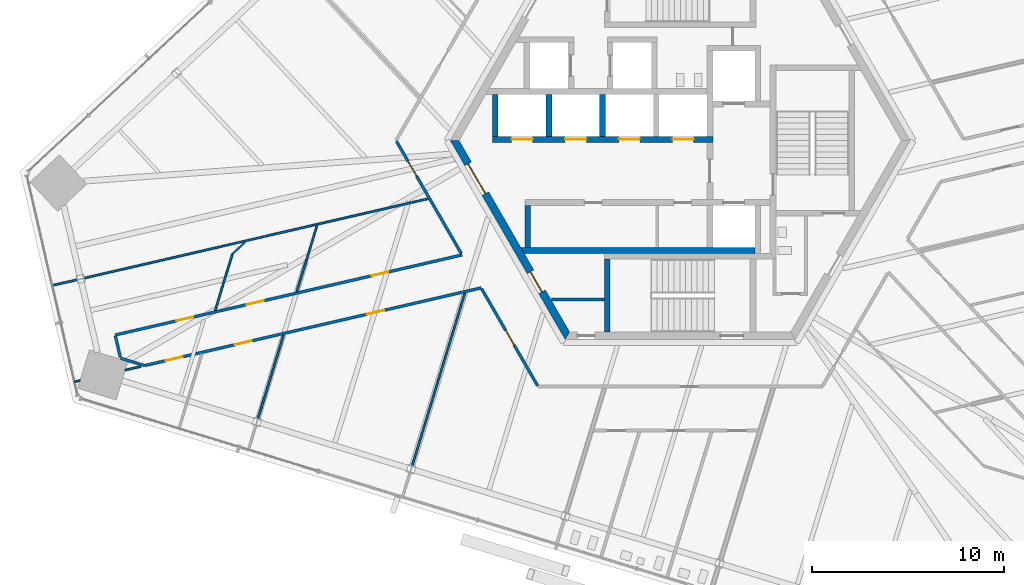
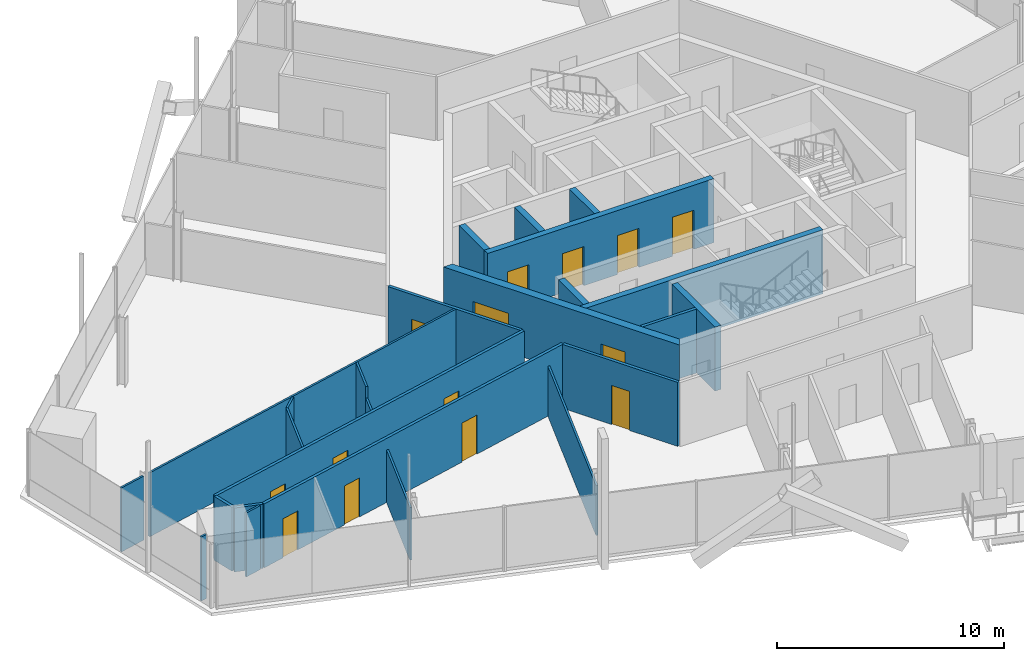
# One storey, part 13 of 24: 25 walls, 14 doors, 14 openings.
"""IFC4 building model written with IfcOpenShell, lengths in metres."""

from ifc_helpers import new_model, si_unit, direction, frame, frame_2d, origin, place, context, subcontext, project, spatial, polyline, rectangle, outline, extrude, source, transform, mapped, material, layer, layer_set, type_object, element, fill, save


model = new_model("IFC4")

# Units and contexts
model_context = context("Model", 3, precision=1e-05, world=origin(), true_north=direction((0.0, 1.0)))
body_context = subcontext(model_context, "Body", "Model", "MODEL_VIEW")
ifc_project = project(units=[si_unit("LENGTHUNIT", "METRE"), si_unit("AREAUNIT", "SQUARE_METRE"), si_unit("VOLUMEUNIT", "CUBIC_METRE"), si_unit("PLANEANGLEUNIT", "RADIAN"), si_unit("MASSUNIT", "GRAM", prefix="KILO")], contexts=[model_context])

# Site, building, storey
site_placement = place(None, origin())
site = spatial("IfcSite", under=ifc_project, at=site_placement, CompositionType="ELEMENT")
building_placement = place(site_placement, origin())
building = spatial("IfcBuilding", under=site, at=building_placement, Name="Triune Harvest Tower", CompositionType="ELEMENT")
storey_placement = place(building_placement, frame((0.0, 0.0, 112.699951171875)))
storey = spatial("IfcBuildingStorey", under=building, at=storey_placement, Name="L28", CompositionType="ELEMENT", Elevation=112.699951171875)

# Walls
ifc_material_1 = material(Name="Gypsum board on steel studs", Category="steel")
ifc_layer_1 = layer(ifc_material_1, 0.10009765625)
ifc_layer_set_1 = layer_set([ifc_layer_1], Name="Gypsum board on steel studs")
wall_type_1 = type_object("IfcWallType", Name="Partition 100 mm", PredefinedType="PARTITIONING", material=ifc_layer_set_1)
wall_1_placement = place(storey_placement, frame((-23.3662109375, -5.91650390625, 0.0), z_axis=(0.0, 0.0, 1.0), x_axis=(0.731438861258, 0.681907026098, 0.0)))
element("IfcWall", 1, at=wall_1_placement, inside=storey, type_object=wall_type_1, Name="Partition L28 046", PredefinedType="PARTITIONING", context=body_context, shape_type="SweptSolid", body=[
    extrude(rectangle(XDim=0.867431640625, YDim=0.10009765625, at=frame_2d((0.43359375, 0.0))), origin(), (0.0, 0.0, 1.0), 3.43994140625),
])
wall_2_placement = place(storey_placement, frame((-22.035888671875, -14.5166015625, 0.0), z_axis=(0.0, 0.0, 1.0), x_axis=(0.292359881687, 0.956308370548, 0.0)))
element("IfcWall", 2, at=wall_2_placement, inside=storey, type_object=wall_type_1, Name="Partition L28 061", PredefinedType="PARTITIONING", context=body_context, shape_type="SweptSolid", body=[
    extrude(rectangle(XDim=4.563720703125, YDim=0.10009765625, at=frame_2d((2.28173828125, 0.0))), origin(), (0.0, 0.0, 1.0), 2.827880859375),
])
wall_3_placement = place(storey_placement, frame((-20.007568359375, -7.882080078125, 0.0), z_axis=(0.0, 0.0, 1.0), x_axis=(0.292277614447, 0.956333517186, 0.0)))
element("IfcWall", 3, at=wall_3_placement, inside=storey, type_object=wall_type_1, Name="Partition L28 062", PredefinedType="PARTITIONING", context=body_context, shape_type="SweptSolid", body=[
    extrude(rectangle(XDim=1.6796875, YDim=0.10009765625, at=frame_2d((0.83984375, 0.0))), origin(), (0.0, 0.0, 1.0), 2.827880859375),
])
wall_4_placement = place(storey_placement, frame((-24.267822265625, -8.86572265625, 0.0), z_axis=(0.0, 0.0, 1.0), x_axis=(0.292377431706, 0.95630300503, 0.0)))
element("IfcWall", 4, at=wall_4_placement, inside=storey, type_object=wall_type_1, Name="Partition L28 064", PredefinedType="PARTITIONING", context=body_context, shape_type="SweptSolid", body=[
    extrude(rectangle(XDim=3.083740234375, YDim=0.10009765625, at=frame_2d((1.5419921875, 0.0))), origin(), (0.0, 0.0, 1.0), 3.43994140625),
])

# Wall, openings, doors
ifc_material_2 = material(Name="Concrete 70 MPa", Category="concrete")
ifc_layer_2 = layer(ifc_material_2, 0.39990234375)
ifc_layer_set_2 = layer_set([ifc_layer_2], Name="Concrete 70 MPa")
wall_type_2 = type_object("IfcWallType", Name="Core wall 400", PredefinedType="SHEAR", material=ifc_layer_set_2)
shared_shape_1 = source(origin(), body_context, "Body", "SweptSolid", [
    extrude(outline(polyline([(-0.115478515625, -0.199951171875), (11.884521484375, -0.199951171875), (11.653564453125, 0.199951171875), (0.115478515625, 0.199951171875), (-0.115478515625, -0.199951171875)])), origin(), (0.0, 0.0, 1.0), 3.43994140625),
])
wall_5_placement = place(storey_placement, frame((-11.76904296875, 0.0, 0.0), z_axis=(0.0, 0.0, 1.0), x_axis=(0.499996592174, -0.866027371285, 0.0)))
wall_5 = element("IfcWall", 5, at=wall_5_placement, inside=storey, type_object=wall_type_2, Name="Hexagon 3 wall", PredefinedType="SHEAR", context=body_context, shape_type="MappedRepresentation", body=[
    mapped(shared_shape_1, transform((0.0, 0.0, 0.0), scale=1.0)),
])
opening_1_placement = place(wall_5_placement, frame((1.404541015625, 0.0, 0.0)))
opening_1 = element("IfcOpeningElement", 6, at=opening_1_placement, cuts=wall_5, Name="Opening CD-LS", PredefinedType="OPENING", context=body_context, shape_type="SweptSolid", body=[
    extrude(rectangle(XDim=1.800048828125, YDim=2.10009765625, at=frame_2d((0.89990234375, 1.050048828125))), frame((0.0, 0.2099609375, 0.0), z_axis=(0.0, -1.0, 0.0), x_axis=(1.0, 0.0, 0.0)), (0.0, 0.0, 1.0), 0.419921875),
])
opening_2_placement = place(wall_5_placement, frame((7.91455078125, 0.0, 0.0)))
opening_2 = element("IfcOpeningElement", 7, at=opening_2_placement, cuts=wall_5, Name="Opening CD-SWP", PredefinedType="OPENING", context=body_context, shape_type="SweptSolid", body=[
    extrude(rectangle(XDim=1.199951171875, YDim=2.10009765625, at=frame_2d((0.60009765625, 1.050048828125))), frame((0.0, 0.2099609375, 0.0), z_axis=(0.0, -1.0, 0.0), x_axis=(1.0, 0.0, 0.0)), (0.0, 0.0, 1.0), 0.419921875),
])
ifc_material_3 = material(Name="Steel S235", Category="steel")
door_type_1 = type_object("IfcDoorType", Name="Lobby door 1800 FD120", OperationType="DOUBLE_DOOR_DOUBLE_SWING", PredefinedType="DOOR", material=ifc_material_3)
door_1_placement = place(opening_1_placement, frame((1.800048828125, 0.0, 0.0), z_axis=(0.0, 0.0, 1.0), x_axis=(-1.0, 0.0, 0.0)))
door_1 = element("IfcDoor", 8, at=door_1_placement, inside=storey, type_object=door_type_1, Name="Door CD-LS", OperationType="DOUBLE_DOOR_DOUBLE_SWING", OverallHeight=2.10009765625, OverallWidth=1.800048828125, PredefinedType="DOOR", context=body_context, shape_type="SweptSolid", body=[
    extrude(rectangle(XDim=1.800048828125, YDim=2.10009765625, at=frame_2d((0.89990234375, 1.050048828125))), frame((0.0, 0.02490234375, 0.0), z_axis=(0.0, -1.0, 0.0), x_axis=(1.0, 0.0, 0.0)), (0.0, 0.0, 1.0), 0.050048828125),
])
fill(opening_1, door_1)
ifc_material_4 = material(Name="Steel S235", Category="steel")
door_type_2 = type_object("IfcDoorType", Name="Service door 1200 FD120", OperationType="SINGLE_SWING_LEFT", PredefinedType="DOOR", material=ifc_material_4)
door_2_placement = place(opening_2_placement, frame((1.199951171875, 0.0, 0.0), z_axis=(0.0, 0.0, 1.0), x_axis=(-1.0, 0.0, 0.0)))
door_2 = element("IfcDoor", 9, at=door_2_placement, inside=storey, type_object=door_type_2, Name="Door CD-SWP", OperationType="SINGLE_SWING_RIGHT", OverallHeight=2.10009765625, OverallWidth=1.199951171875, PredefinedType="DOOR", context=body_context, shape_type="SweptSolid", body=[
    extrude(rectangle(XDim=1.199951171875, YDim=2.10009765625, at=frame_2d((0.60009765625, 1.050048828125))), frame((0.0, 0.02490234375, 0.0), z_axis=(0.0, -1.0, 0.0), x_axis=(1.0, 0.0, 0.0)), (0.0, 0.0, 1.0), 0.050048828125),
])
fill(opening_2, door_2)

ifc_material_5 = material(Name="Concrete 70 MPa", Category="concrete")
ifc_layer_3 = layer(ifc_material_5, 0.300048828125)
ifc_layer_set_3 = layer_set([ifc_layer_3], Name="Concrete 70 MPa")
wall_type_3 = type_object("IfcWallType", Name="Core wall 300", PredefinedType="SHEAR", material=ifc_layer_set_3)
shared_shape_2 = source(origin(), body_context, "Body", "SweptSolid", [
    extrude(rectangle(XDim=11.5, YDim=0.300048828125, at=frame_2d((5.75, 0.0))), origin(), (0.0, 0.0, 1.0), 3.43994140625),
])
wall_6_placement = place(storey_placement, frame((-9.800048828125, 0.06005859375, 0.0), z_axis=(0.0, 0.0, 1.0), x_axis=(1.0, 0.0, 0.0)))
wall_6 = element("IfcWall", 10, at=wall_6_placement, inside=storey, type_object=wall_type_3, Name="North front wall", PredefinedType="SHEAR", context=body_context, shape_type="MappedRepresentation", body=[
    mapped(shared_shape_2, transform((0.0, 0.0, 0.0), scale=1.0)),
])
opening_3_placement = place(wall_6_placement, frame((1.0, 0.0, 0.0)))
opening_3 = element("IfcOpeningElement", 11, at=opening_3_placement, cuts=wall_6, Name="Opening LD-LR1-28", PredefinedType="OPENING", context=body_context, shape_type="SweptSolid", body=[
    extrude(rectangle(XDim=1.10009765625, YDim=2.10009765625, at=frame_2d((0.550048828125, 1.050048828125))), frame((0.0, 0.16015625, 0.0), z_axis=(0.0, -1.0, 0.0), x_axis=(1.0, 0.0, 0.0)), (0.0, 0.0, 1.0), 0.320068359375),
])
opening_4_placement = place(wall_6_placement, frame((3.800048828125, 0.0, 0.0)))
opening_4 = element("IfcOpeningElement", 12, at=opening_4_placement, cuts=wall_6, Name="Opening LD-LR2-28", PredefinedType="OPENING", context=body_context, shape_type="SweptSolid", body=[
    extrude(rectangle(XDim=1.10009765625, YDim=2.10009765625, at=frame_2d((0.550048828125, 1.050048828125))), frame((0.0, 0.16015625, 0.0), z_axis=(0.0, -1.0, 0.0), x_axis=(1.0, 0.0, 0.0)), (0.0, 0.0, 1.0), 0.320068359375),
])
opening_5_placement = place(wall_6_placement, frame((6.60009765625, 0.0, 0.0)))
opening_5 = element("IfcOpeningElement", 13, at=opening_5_placement, cuts=wall_6, Name="Opening LD-LR3-28", PredefinedType="OPENING", context=body_context, shape_type="SweptSolid", body=[
    extrude(rectangle(XDim=1.10009765625, YDim=2.10009765625, at=frame_2d((0.550048828125, 1.050048828125))), frame((0.0, 0.16015625, 0.0), z_axis=(0.0, -1.0, 0.0), x_axis=(1.0, 0.0, 0.0)), (0.0, 0.0, 1.0), 0.320068359375),
])
opening_6_placement = place(wall_6_placement, frame((9.39990234375, 0.0, 0.0)))
opening_6 = element("IfcOpeningElement", 14, at=opening_6_placement, cuts=wall_6, Name="Opening LD-LR4-28", PredefinedType="OPENING", context=body_context, shape_type="SweptSolid", body=[
    extrude(rectangle(XDim=1.10009765625, YDim=2.10009765625, at=frame_2d((0.550048828125, 1.050048828125))), frame((0.0, 0.16015625, 0.0), z_axis=(0.0, -1.0, 0.0), x_axis=(1.0, 0.0, 0.0)), (0.0, 0.0, 1.0), 0.320068359375),
])
ifc_material_6 = material(Name="Stainless steel AISI 304", Category="steel")
door_type_3 = type_object("IfcDoorType", Name="Landing door 1100 x 2100", OperationType="DOUBLE_DOOR_SLIDING", PredefinedType="DOOR", material=ifc_material_6)
door_3_placement = place(opening_3_placement, origin())
door_3 = element("IfcDoor", 15, at=door_3_placement, inside=storey, type_object=door_type_3, Name="Door LD-LR1-28", OperationType="DOUBLE_DOOR_SLIDING", OverallHeight=2.10009765625, OverallWidth=1.10009765625, PredefinedType="DOOR", context=body_context, shape_type="SweptSolid", body=[
    extrude(rectangle(XDim=1.10009765625, YDim=2.10009765625, at=frame_2d((0.550048828125, 1.050048828125))), frame((0.0, 0.02490234375, 0.0), z_axis=(0.0, -1.0, 0.0), x_axis=(1.0, 0.0, 0.0)), (0.0, 0.0, 1.0), 0.050048828125),
])
fill(opening_3, door_3)
door_4_placement = place(opening_4_placement, origin())
door_4 = element("IfcDoor", 16, at=door_4_placement, inside=storey, type_object=door_type_3, Name="Door LD-LR2-28", OperationType="DOUBLE_DOOR_SLIDING", OverallHeight=2.10009765625, OverallWidth=1.10009765625, PredefinedType="DOOR", context=body_context, shape_type="SweptSolid", body=[
    extrude(rectangle(XDim=1.10009765625, YDim=2.10009765625, at=frame_2d((0.550048828125, 1.050048828125))), frame((0.0, 0.02490234375, 0.0), z_axis=(0.0, -1.0, 0.0), x_axis=(1.0, 0.0, 0.0)), (0.0, 0.0, 1.0), 0.050048828125),
])
fill(opening_4, door_4)
door_5_placement = place(opening_5_placement, origin())
door_5 = element("IfcDoor", 17, at=door_5_placement, inside=storey, type_object=door_type_3, Name="Door LD-LR3-28", OperationType="DOUBLE_DOOR_SLIDING", OverallHeight=2.10009765625, OverallWidth=1.10009765625, PredefinedType="DOOR", context=body_context, shape_type="SweptSolid", body=[
    extrude(rectangle(XDim=1.10009765625, YDim=2.10009765625, at=frame_2d((0.550048828125, 1.050048828125))), frame((0.0, 0.02490234375, 0.0), z_axis=(0.0, -1.0, 0.0), x_axis=(1.0, 0.0, 0.0)), (0.0, 0.0, 1.0), 0.050048828125),
])
fill(opening_5, door_5)
door_6_placement = place(opening_6_placement, origin())
door_6 = element("IfcDoor", 18, at=door_6_placement, inside=storey, type_object=door_type_3, Name="Door LD-LR4-28", OperationType="DOUBLE_DOOR_SLIDING", OverallHeight=2.10009765625, OverallWidth=1.10009765625, PredefinedType="DOOR", context=body_context, shape_type="SweptSolid", body=[
    extrude(rectangle(XDim=1.10009765625, YDim=2.10009765625, at=frame_2d((0.550048828125, 1.050048828125))), frame((0.0, 0.02490234375, 0.0), z_axis=(0.0, -1.0, 0.0), x_axis=(1.0, 0.0, 0.0)), (0.0, 0.0, 1.0), 0.050048828125),
])
fill(opening_6, door_6)

# Walls
shared_shape_3 = source(origin(), body_context, "Body", "SweptSolid", [
    extrude(outline(polyline([(12.0, -0.14990234375), (-0.039794921875, -0.14990234375), (-0.212890625, 0.14990234375), (12.0, 0.14990234375), (12.0, -0.14990234375)])), origin(), (0.0, 0.0, 1.0), 3.43994140625),
])
wall_7_placement = place(storey_placement, frame((-8.10009765625, -5.739990234375, 0.0), z_axis=(0.0, 0.0, 1.0), x_axis=(1.0, 0.0, 0.0)))
element("IfcWall", 19, at=wall_7_placement, inside=storey, type_object=wall_type_3, Name="South back wall", PredefinedType="SHEAR", context=body_context, shape_type="MappedRepresentation", body=[
    mapped(shared_shape_3, transform((0.0, 0.0, 0.0), scale=1.0)),
])
shared_shape_4 = source(origin(), body_context, "Body", "SweptSolid", [
    extrude(rectangle(XDim=2.2001953125, YDim=0.300048828125, at=frame_2d((1.10009765625, 0.0))), origin(), (0.0, 0.0, 1.0), 3.43994140625),
])
wall_8_placement = place(storey_placement, frame((-7.949951171875, -5.590087890625, 0.0), z_axis=(0.0, 0.0, 1.0), x_axis=(0.0, 1.0, 0.0)))
element("IfcWall", 20, at=wall_8_placement, inside=storey, type_object=wall_type_3, Name="South end west wall", PredefinedType="SHEAR", context=body_context, shape_type="MappedRepresentation", body=[
    mapped(shared_shape_4, transform((0.0, 0.0, 0.0), scale=1.0)),
])
shared_shape_5 = source(origin(), body_context, "Body", "SweptSolid", [
    extrude(rectangle(XDim=2.199951171875, YDim=0.300048828125, at=frame_2d((1.10009765625, 0.0))), origin(), (0.0, 0.0, 1.0), 3.43994140625),
])
for number, where, z_axis, x_axis, name in (
    (21, (-9.64990234375, 0.2099609375, 0.0), (0.0, 0.0, 1.0), (0.0, 1.0, 0.0), "North end west wall"),
    (22, (-6.85009765625, 0.2099609375, 0.0), (0.0, 0.0, 1.0), (0.0, 1.0, 0.0), "North cross 1 wall"),
    (23, (-4.050048828125, 0.2099609375, 0.0), (0.0, 0.0, 1.0), (0.0, 1.0, 0.0), "North cross 2 wall"),
):
    element("IfcWall", number, at=place(storey_placement, frame(where, z_axis=z_axis, x_axis=x_axis)), inside=storey, type_object=wall_type_3, Name=name, PredefinedType="SHEAR", context=body_context, shape_type="MappedRepresentation", body=[
        mapped(shared_shape_5, transform((0.0, 0.0, 0.0), scale=1.0)),
    ])
shared_shape_6 = source(origin(), body_context, "Body", "SweptSolid", [
    extrude(outline(polyline([(3.800048828125, -0.14990234375), (-0.00439453125, -0.14990234375), (-0.00439453125, 0.14990234375), (3.800048828125, 0.14990234375), (3.800048828125, -0.14990234375)])), origin(), (0.0, 0.0, 1.0), 3.43994140625),
])
wall_9_placement = place(storey_placement, frame((-3.800048828125, -9.989990234375, 0.0), z_axis=(0.0, 0.0, 1.0), x_axis=(0.0, 1.0, 0.0)))
element("IfcWall", 24, at=wall_9_placement, inside=storey, type_object=wall_type_3, Name="Stair s west wall", PredefinedType="SHEAR", context=body_context, shape_type="MappedRepresentation", body=[
    mapped(shared_shape_6, transform((0.0, 0.0, 0.0), scale=1.0)),
])
ifc_material_7 = material(Name="Concrete masonry unit", Category="masonry")
ifc_layer_4 = layer(ifc_material_7, 0.14990234375)
ifc_layer_set_4 = layer_set([ifc_layer_4], Name="Concrete masonry unit")
wall_type_4 = type_object("IfcWallType", Name="Block partition 150", PredefinedType="PARTITIONING", material=ifc_layer_set_4)
shared_shape_7 = source(origin(), body_context, "Body", "SweptSolid", [
    extrude(rectangle(XDim=2.777099609375, YDim=0.14990234375, at=frame_2d((1.388671875, 0.0))), origin(), (0.0, 0.0, 1.0), 3.43994140625),
])
wall_10_placement = place(storey_placement, frame((-6.72705078125, -8.300048828125, 0.0), z_axis=(0.0, 0.0, 1.0), x_axis=(1.0, 0.0, 0.0)))
element("IfcWall", 25, at=wall_10_placement, inside=storey, type_object=wall_type_4, Name="Sw part wall", PredefinedType="PARTITIONING", context=body_context, shape_type="MappedRepresentation", body=[
    mapped(shared_shape_7, transform((0.0, 0.0, 0.0), scale=1.0)),
])
shared_shape_8 = source(origin(), body_context, "Body", "SweptSolid", [
    extrude(rectangle(XDim=1.338134765625, YDim=0.10009765625, at=frame_2d((0.6689453125, 0.0))), origin(), (0.0, 0.0, 1.0), 3.43994140625),
])
wall_11_placement = place(storey_placement, frame((-32.770751953125, -7.565673828125, 0.0), z_axis=(0.0, 0.0, 1.0), x_axis=(0.974363511026, 0.224979439906, 0.0)))
element("IfcWall", 26, at=wall_11_placement, inside=storey, type_object=wall_type_1, Name="Partition L28 041", PredefinedType="PARTITIONING", context=body_context, shape_type="MappedRepresentation", body=[
    mapped(shared_shape_8, transform((0.0, 0.0, 0.0), scale=1.0)),
])
ifc_material_8 = material(Name="Gypsum board on steel studs", Category="steel")
ifc_layer_5 = layer(ifc_material_8, 0.14990234375)
ifc_layer_set_5 = layer_set([ifc_layer_5], Name="Gypsum board on steel studs")
wall_type_5 = type_object("IfcWallType", Name="Fire Partition 150 mm", PredefinedType="PARTITIONING", material=ifc_layer_set_5)
shared_shape_9 = source(origin(), body_context, "Body", "SweptSolid", [
    extrude(rectangle(XDim=1.144287109375, YDim=0.14990234375, at=frame_2d((0.572265625, 0.0))), origin(), (0.0, 0.0, 1.0), 3.43994140625),
])
wall_12_placement = place(storey_placement, frame((-29.475341796875, -10.19921875, 0.0), z_axis=(0.0, 0.0, 1.0), x_axis=(0.225077639039, -0.974340831745, 0.0)))
element("IfcWall", 27, at=wall_12_placement, inside=storey, type_object=wall_type_5, Name="Partition L28 001", PredefinedType="PARTITIONING", context=body_context, shape_type="MappedRepresentation", body=[
    mapped(shared_shape_9, transform((0.0, 0.0, 0.0), scale=1.0)),
])
shared_shape_10 = source(origin(), body_context, "Body", "SweptSolid", [
    extrude(rectangle(XDim=1.291259765625, YDim=0.14990234375, at=frame_2d((0.6455078125, 0.0))), origin(), (0.0, 0.0, 1.0), 3.43994140625),
])
wall_13_placement = place(storey_placement, frame((-29.20654296875, -11.36279296875, 0.0), z_axis=(0.0, 0.0, 1.0), x_axis=(0.956272282216, -0.292477900472, 0.0)))
element("IfcWall", 28, at=wall_13_placement, inside=storey, type_object=wall_type_5, Name="Partition L28 023", PredefinedType="PARTITIONING", context=body_context, shape_type="MappedRepresentation", body=[
    mapped(shared_shape_10, transform((0.0, 0.0, 0.0), scale=1.0)),
])

# Wall, opening, door
shared_shape_11 = source(origin(), body_context, "Body", "SweptSolid", [
    extrude(rectangle(XDim=6.764404296875, YDim=0.14990234375, at=frame_2d((3.38232421875, 0.0))), origin(), (0.0, 0.0, 1.0), 3.43994140625),
])
wall_14_placement = place(storey_placement, frame((-14.80419921875, -0.043212890625, 0.0), z_axis=(0.0, 0.0, 1.0), x_axis=(0.50001300079, -0.866017897644, 0.0)))
wall_14 = element("IfcWall", 29, at=wall_14_placement, inside=storey, type_object=wall_type_5, Name="Partition L28 004", PredefinedType="PARTITIONING", context=body_context, shape_type="MappedRepresentation", body=[
    mapped(shared_shape_11, transform((0.0, 0.0, 0.0), scale=1.0)),
])
opening_7_placement = place(wall_14_placement, frame((1.2001953125, 0.0, 0.0)))
opening_7 = element("IfcOpeningElement", 30, at=opening_7_placement, cuts=wall_14, Name="Opening L28-014", PredefinedType="OPENING", context=body_context, shape_type="SweptSolid", body=[
    extrude(rectangle(XDim=0.89990234375, YDim=2.10009765625, at=frame_2d((0.449951171875, 1.050048828125))), frame((0.0, 0.0849609375, 0.0), z_axis=(0.0, -1.0, 0.0), x_axis=(1.0, 0.0, 0.0)), (0.0, 0.0, 1.0), 0.169921875),
])
ifc_material_9 = material(Name="Timber and steel door set", Category="steel")
door_type_4 = type_object("IfcDoorType", Name="Single leaf door FD30 right hand 900 x 2100", OperationType="SINGLE_SWING_RIGHT", PredefinedType="DOOR", material=ifc_material_9)
door_7_placement = place(opening_7_placement, origin())
door_7 = element("IfcDoor", 31, at=door_7_placement, inside=storey, type_object=door_type_4, Name="Door L28-014 Phone room 28.14", OperationType="SINGLE_SWING_RIGHT", OverallHeight=2.10009765625, OverallWidth=0.89990234375, PredefinedType="DOOR", context=body_context, shape_type="SweptSolid", body=[
    extrude(rectangle(XDim=0.89990234375, YDim=2.10009765625, at=frame_2d((0.449951171875, 1.050048828125))), frame((0.0, 0.02490234375, 0.0), z_axis=(0.0, -1.0, 0.0), x_axis=(1.0, 0.0, 0.0)), (0.0, 0.0, 1.0), 0.050048828125),
])
fill(opening_7, door_7)

shared_shape_12 = source(origin(), body_context, "Body", "SweptSolid", [
    extrude(rectangle(XDim=5.85791015625, YDim=0.14990234375, at=frame_2d((2.928955078125, 0.0))), origin(), (0.0, 0.0, 1.0), 3.43994140625),
])
wall_15_placement = place(storey_placement, frame((-10.363525390625, -7.734619140625, 0.0), z_axis=(0.0, 0.0, 1.0), x_axis=(0.500007463099, -0.866021094919, 0.0)))
wall_15 = element("IfcWall", 32, at=wall_15_placement, inside=storey, type_object=wall_type_5, Name="Partition L28 005", PredefinedType="PARTITIONING", context=body_context, shape_type="MappedRepresentation", body=[
    mapped(shared_shape_12, transform((0.0, 0.0, 0.0), scale=1.0)),
])
opening_8_placement = place(wall_15_placement, frame((2.5, 0.0, 0.0)))
opening_8 = element("IfcOpeningElement", 33, at=opening_8_placement, cuts=wall_15, Name="Opening L28-021", PredefinedType="OPENING", context=body_context, shape_type="SweptSolid", body=[
    extrude(rectangle(XDim=0.89990234375, YDim=2.10009765625, at=frame_2d((0.449951171875, 1.050048828125))), frame((0.0, 0.0849609375, 0.0), z_axis=(0.0, -1.0, 0.0), x_axis=(1.0, 0.0, 0.0)), (0.0, 0.0, 1.0), 0.169921875),
])
ifc_material_10 = material(Name="Timber and steel door set", Category="steel")
door_type_5 = type_object("IfcDoorType", Name="Single leaf door FD30 left hand 900 x 2100", OperationType="SINGLE_SWING_LEFT", PredefinedType="DOOR", material=ifc_material_10)
door_8_placement = place(opening_8_placement, origin())
door_8 = element("IfcDoor", 34, at=door_8_placement, inside=storey, type_object=door_type_5, Name="Door L28-021 Project Room 28.21", OperationType="SINGLE_SWING_LEFT", OverallHeight=2.10009765625, OverallWidth=0.89990234375, PredefinedType="DOOR", context=body_context, shape_type="SweptSolid", body=[
    extrude(rectangle(XDim=0.89990234375, YDim=2.10009765625, at=frame_2d((0.449951171875, 1.050048828125))), frame((0.0, 0.02490234375, 0.0), z_axis=(0.0, -1.0, 0.0), x_axis=(1.0, 0.0, 0.0)), (0.0, 0.0, 1.0), 0.050048828125),
])
fill(opening_8, door_8)

# Wall, openings, doors
shared_shape_13 = source(origin(), body_context, "Body", "SweptSolid", [
    extrude(rectangle(XDim=18.5810546875, YDim=0.14990234375, at=frame_2d((9.29052734375, 0.0))), origin(), (0.0, 0.0, 1.0), 3.43994140625),
])
wall_16_placement = place(storey_placement, frame((-29.486572265625, -10.150390625, 0.0), z_axis=(0.0, 0.0, 1.0), x_axis=(0.974371482993, 0.224944911321, 0.0)))
wall_16 = element("IfcWall", 35, at=wall_16_placement, inside=storey, type_object=wall_type_5, Name="Partition L28 038", PredefinedType="PARTITIONING", context=body_context, shape_type="MappedRepresentation", body=[
    mapped(shared_shape_13, transform((0.0, 0.0, 0.0), scale=1.0)),
])
opening_9_placement = place(wall_16_placement, frame((3.27880859375, 0.0, 0.0)))
opening_9 = element("IfcOpeningElement", 36, at=opening_9_placement, cuts=wall_16, Name="Opening L28-015", PredefinedType="OPENING", context=body_context, shape_type="SweptSolid", body=[
    extrude(rectangle(XDim=0.89990234375, YDim=2.10009765625, at=frame_2d((0.449951171875, 1.050048828125))), frame((0.0, 0.0849609375, 0.0), z_axis=(0.0, -1.0, 0.0), x_axis=(1.0, 0.0, 0.0)), (0.0, 0.0, 1.0), 0.169921875),
])
opening_10_placement = place(wall_16_placement, frame((7.05126953125, 0.0, 0.0)))
opening_10 = element("IfcOpeningElement", 37, at=opening_10_placement, cuts=wall_16, Name="Opening L28-018", PredefinedType="OPENING", context=body_context, shape_type="SweptSolid", body=[
    extrude(rectangle(XDim=0.89990234375, YDim=2.10009765625, at=frame_2d((0.449951171875, 1.050048828125))), frame((0.0, 0.0849609375, 0.0), z_axis=(0.0, -1.0, 0.0), x_axis=(1.0, 0.0, 0.0)), (0.0, 0.0, 1.0), 0.169921875),
])
opening_11_placement = place(wall_16_placement, frame((13.730712890625, 0.0, 0.0)))
opening_11 = element("IfcOpeningElement", 38, at=opening_11_placement, cuts=wall_16, Name="Opening L28-020", PredefinedType="OPENING", context=body_context, shape_type="SweptSolid", body=[
    extrude(rectangle(XDim=0.89990234375, YDim=2.10009765625, at=frame_2d((0.449951171875, 1.050048828125))), frame((0.0, 0.0849609375, 0.0), z_axis=(0.0, -1.0, 0.0), x_axis=(1.0, 0.0, 0.0)), (0.0, 0.0, 1.0), 0.169921875),
])
door_9_placement = place(opening_9_placement, origin())
door_9 = element("IfcDoor", 39, at=door_9_placement, inside=storey, type_object=door_type_5, Name="Door L28-015 Reception 28.15", OperationType="SINGLE_SWING_LEFT", OverallHeight=2.10009765625, OverallWidth=0.89990234375, PredefinedType="DOOR", context=body_context, shape_type="SweptSolid", body=[
    extrude(rectangle(XDim=0.89990234375, YDim=2.10009765625, at=frame_2d((0.449951171875, 1.050048828125))), frame((0.0, 0.02490234375, 0.0), z_axis=(0.0, -1.0, 0.0), x_axis=(1.0, 0.0, 0.0)), (0.0, 0.0, 1.0), 0.050048828125),
])
fill(opening_9, door_9)
door_10_placement = place(opening_10_placement, origin())
door_10 = element("IfcDoor", 40, at=door_10_placement, inside=storey, type_object=door_type_5, Name="Door L28-018 Office 28.18", OperationType="SINGLE_SWING_LEFT", OverallHeight=2.10009765625, OverallWidth=0.89990234375, PredefinedType="DOOR", context=body_context, shape_type="SweptSolid", body=[
    extrude(rectangle(XDim=0.89990234375, YDim=2.10009765625, at=frame_2d((0.449951171875, 1.050048828125))), frame((0.0, 0.02490234375, 0.0), z_axis=(0.0, -1.0, 0.0), x_axis=(1.0, 0.0, 0.0)), (0.0, 0.0, 1.0), 0.050048828125),
])
fill(opening_10, door_10)
door_11_placement = place(opening_11_placement, origin())
door_11 = element("IfcDoor", 41, at=door_11_placement, inside=storey, type_object=door_type_4, Name="Door L28-020 Open Office 28.20", OperationType="SINGLE_SWING_RIGHT", OverallHeight=2.10009765625, OverallWidth=0.89990234375, PredefinedType="DOOR", context=body_context, shape_type="SweptSolid", body=[
    extrude(rectangle(XDim=0.89990234375, YDim=2.10009765625, at=frame_2d((0.449951171875, 1.050048828125))), frame((0.0, 0.02490234375, 0.0), z_axis=(0.0, -1.0, 0.0), x_axis=(1.0, 0.0, 0.0)), (0.0, 0.0, 1.0), 0.050048828125),
])
fill(opening_11, door_11)

# Wall
shared_shape_14 = source(origin(), body_context, "Body", "SweptSolid", [
    extrude(rectangle(XDim=0.8466796875, YDim=0.10009765625, at=frame_2d((0.42333984375, 0.0))), origin(), (0.0, 0.0, 1.0), 3.43994140625),
])
wall_17_placement = place(storey_placement, frame((-28.972412109375, -11.981689453125, 0.0), z_axis=(0.0, 0.0, 1.0), x_axis=(0.974376613524, 0.224922686756, 0.0)))
element("IfcWall", 42, at=wall_17_placement, inside=storey, type_object=wall_type_1, Name="Partition L28 035", PredefinedType="PARTITIONING", context=body_context, shape_type="MappedRepresentation", body=[
    mapped(shared_shape_14, transform((0.0, 0.0, 0.0), scale=1.0)),
])

# Wall, openings, doors
shared_shape_15 = source(origin(), body_context, "Body", "SweptSolid", [
    extrude(rectangle(XDim=18.0263671875, YDim=0.14990234375, at=frame_2d((9.01318359375, 0.0))), origin(), (0.0, 0.0, 1.0), 3.43994140625),
])
wall_18_placement = place(storey_placement, frame((-27.95263671875, -11.74609375, 0.0), z_axis=(0.0, 0.0, 1.0), x_axis=(0.974374758263, 0.224930723691, 0.0)))
wall_18 = element("IfcWall", 43, at=wall_18_placement, inside=storey, type_object=wall_type_5, Name="Partition L28 036", PredefinedType="PARTITIONING", context=body_context, shape_type="MappedRepresentation", body=[
    mapped(shared_shape_15, transform((0.0, 0.0, 0.0), scale=1.0)),
])
opening_12_placement = place(wall_18_placement, frame((1.1298828125, 0.0, 0.0)))
opening_12 = element("IfcOpeningElement", 44, at=opening_12_placement, cuts=wall_18, Name="Opening L28-016", PredefinedType="OPENING", context=body_context, shape_type="SweptSolid", body=[
    extrude(rectangle(XDim=0.89990234375, YDim=2.10009765625, at=frame_2d((0.449951171875, 1.050048828125))), frame((0.0, 0.0849609375, 0.0), z_axis=(0.0, -1.0, 0.0), x_axis=(1.0, 0.0, 0.0)), (0.0, 0.0, 1.0), 0.169921875),
])
opening_13_placement = place(wall_18_placement, frame((4.84619140625, 0.0, 0.0)))
opening_13 = element("IfcOpeningElement", 45, at=opening_13_placement, cuts=wall_18, Name="Opening L28-017", PredefinedType="OPENING", context=body_context, shape_type="SweptSolid", body=[
    extrude(rectangle(XDim=0.89990234375, YDim=2.10009765625, at=frame_2d((0.449951171875, 1.050048828125))), frame((0.0, 0.0849609375, 0.0), z_axis=(0.0, -1.0, 0.0), x_axis=(1.0, 0.0, 0.0)), (0.0, 0.0, 1.0), 0.169921875),
])
opening_14_placement = place(wall_18_placement, frame((11.918701171875, 0.0, 0.0)))
opening_14 = element("IfcOpeningElement", 46, at=opening_14_placement, cuts=wall_18, Name="Opening L28-019", PredefinedType="OPENING", context=body_context, shape_type="SweptSolid", body=[
    extrude(rectangle(XDim=0.89990234375, YDim=2.10009765625, at=frame_2d((0.449951171875, 1.050048828125))), frame((0.0, 0.0849609375, 0.0), z_axis=(0.0, -1.0, 0.0), x_axis=(1.0, 0.0, 0.0)), (0.0, 0.0, 1.0), 0.169921875),
])
door_12_placement = place(opening_14_placement, origin())
door_12 = element("IfcDoor", 47, at=door_12_placement, inside=storey, type_object=door_type_5, Name="Door L28-019 Open Office 28.19", OperationType="SINGLE_SWING_LEFT", OverallHeight=2.10009765625, OverallWidth=0.89990234375, PredefinedType="DOOR", context=body_context, shape_type="SweptSolid", body=[
    extrude(rectangle(XDim=0.89990234375, YDim=2.10009765625, at=frame_2d((0.449951171875, 1.050048828125))), frame((0.0, 0.02490234375, 0.0), z_axis=(0.0, -1.0, 0.0), x_axis=(1.0, 0.0, 0.0)), (0.0, 0.0, 1.0), 0.050048828125),
])
fill(opening_14, door_12)
door_13_placement = place(opening_12_placement, origin())
door_13 = element("IfcDoor", 48, at=door_13_placement, inside=storey, type_object=door_type_4, Name="Door L28-016 Office 28.16", OperationType="SINGLE_SWING_RIGHT", OverallHeight=2.10009765625, OverallWidth=0.89990234375, PredefinedType="DOOR", context=body_context, shape_type="SweptSolid", body=[
    extrude(rectangle(XDim=0.89990234375, YDim=2.10009765625, at=frame_2d((0.449951171875, 1.050048828125))), frame((0.0, 0.02490234375, 0.0), z_axis=(0.0, -1.0, 0.0), x_axis=(1.0, 0.0, 0.0)), (0.0, 0.0, 1.0), 0.050048828125),
])
fill(opening_12, door_13)
door_14_placement = place(opening_13_placement, origin())
door_14 = element("IfcDoor", 49, at=door_14_placement, inside=storey, type_object=door_type_4, Name="Door L28-017 Office 28.17", OperationType="SINGLE_SWING_RIGHT", OverallHeight=2.10009765625, OverallWidth=0.89990234375, PredefinedType="DOOR", context=body_context, shape_type="SweptSolid", body=[
    extrude(rectangle(XDim=0.89990234375, YDim=2.10009765625, at=frame_2d((0.449951171875, 1.050048828125))), frame((0.0, 0.02490234375, 0.0), z_axis=(0.0, -1.0, 0.0), x_axis=(1.0, 0.0, 0.0)), (0.0, 0.0, 1.0), 0.050048828125),
])
fill(opening_13, door_14)

# Walls
shared_shape_16 = source(origin(), body_context, "Body", "SweptSolid", [
    extrude(rectangle(XDim=18.504638671875, YDim=0.10009765625, at=frame_2d((9.25244140625, 0.0))), origin(), (0.0, 0.0, 1.0), 3.43994140625),
])
wall_19_placement = place(storey_placement, frame((-31.115234375, -7.18359375, 0.0), z_axis=(0.0, 0.0, 1.0), x_axis=(0.974370289339, 0.224950081693, 0.0)))
element("IfcWall", 50, at=wall_19_placement, inside=storey, type_object=wall_type_1, Name="Partition L28 042", PredefinedType="PARTITIONING", context=body_context, shape_type="MappedRepresentation", body=[
    mapped(shared_shape_16, transform((0.0, 0.0, 0.0), scale=1.0)),
])
shared_shape_17 = source(origin(), body_context, "Body", "SweptSolid", [
    extrude(rectangle(XDim=1.921630859375, YDim=0.10009765625, at=frame_2d((0.9609375, 0.0))), origin(), (0.0, 0.0, 1.0), 3.43994140625),
])
wall_20_placement = place(storey_placement, frame((-19.5166015625, -6.275634765625, 0.0), z_axis=(0.0, 0.0, 1.0), x_axis=(0.292344418491, 0.956313097776, 0.0)))
element("IfcWall", 51, at=wall_20_placement, inside=storey, type_object=wall_type_1, Name="Partition L28 062a", PredefinedType="PARTITIONING", context=body_context, shape_type="MappedRepresentation", body=[
    mapped(shared_shape_17, transform((0.0, 0.0, 0.0), scale=1.0)),
])
shared_shape_18 = source(origin(), body_context, "Body", "SweptSolid", [
    extrude(rectangle(XDim=9.421875, YDim=0.10009765625, at=frame_2d((4.7109375, 0.0))), origin(), (0.0, 0.0, 1.0), 2.68310546875),
])
wall_21_placement = place(storey_placement, frame((-13.9892578125, -16.976806640625, 0.0), z_axis=(0.0, 0.0, 1.0), x_axis=(0.292364677852, 0.956306904265, 0.0)))
element("IfcWall", 52, at=wall_21_placement, inside=storey, type_object=wall_type_1, Name="Partition L28 059", PredefinedType="PARTITIONING", context=body_context, shape_type="MappedRepresentation", body=[
    mapped(shared_shape_18, transform((0.0, 0.0, 0.0), scale=1.0)),
])
shared_shape_19 = source(origin(), body_context, "Body", "SweptSolid", [
    extrude(rectangle(XDim=0.3056640625, YDim=0.10009765625, at=frame_2d((0.15283203125, 0.0))), origin(), (0.0, 0.0, 1.0), 3.43994140625),
])
wall_22_placement = place(storey_placement, frame((-31.610595703125, -12.5908203125, 0.0), z_axis=(0.0, 0.0, 1.0), x_axis=(0.974310374025, 0.225209447111, 0.0)))
element("IfcWall", 53, at=wall_22_placement, inside=storey, type_object=wall_type_1, Name="Partition L28 034", PredefinedType="PARTITIONING", context=body_context, shape_type="MappedRepresentation", body=[
    mapped(shared_shape_19, transform((0.0, 0.0, 0.0), scale=1.0)),
])

save(model, "model.ifc")
